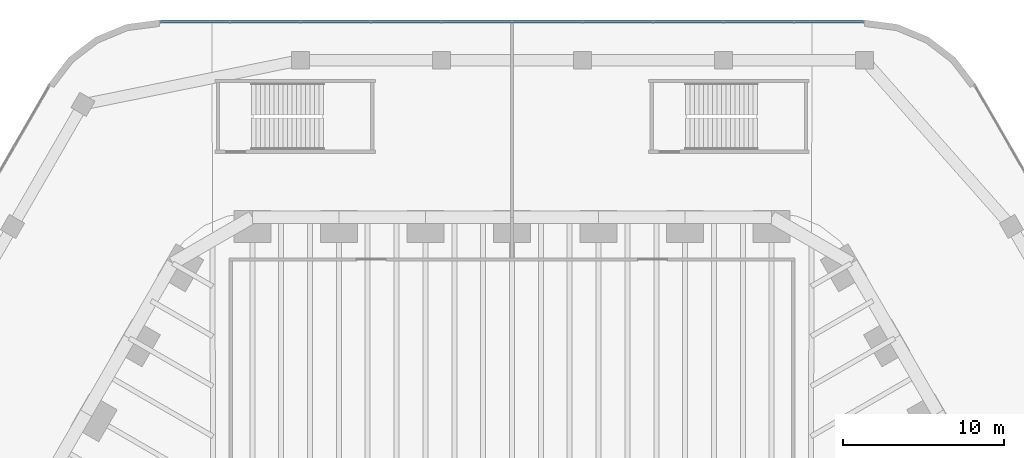
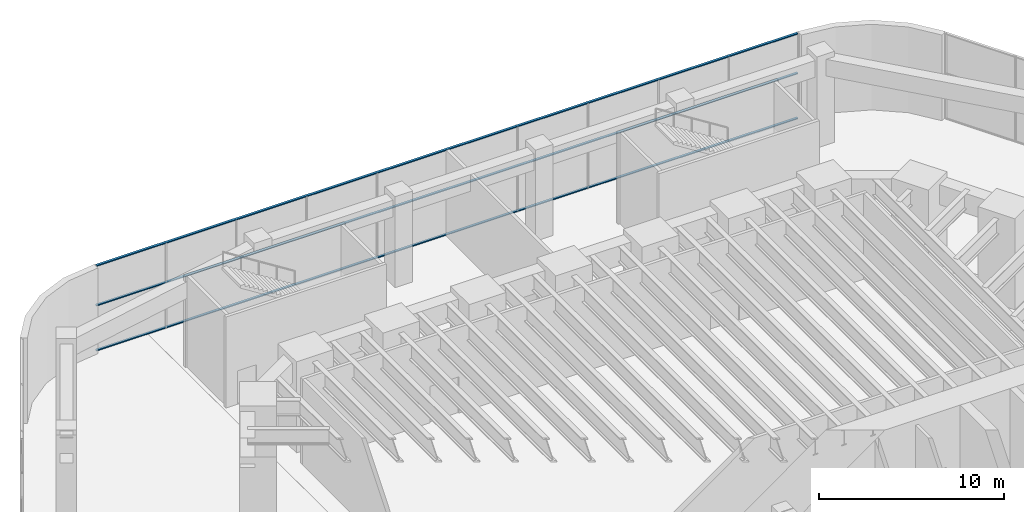
# One storey, part 19 of 31: 3 members, 1 element without a shape of its own.
"""IFC4 building model written with IfcOpenShell, lengths in metres."""

from ifc_helpers import new_model, si_unit, direction, frame, origin, origin_2d, place, context, subcontext, project, spatial, rectangle, extrude, material, material_profile, profile_set, type_object, element, aggregate, save


model = new_model("IFC4")

# Units and contexts
model_context = context("Model", 3, precision=1e-05, world=origin(), true_north=direction((0.0, 1.0)))
body_context = subcontext(model_context, "Body", "Model", "MODEL_VIEW")
ifc_project = project(units=[si_unit("LENGTHUNIT", "METRE"), si_unit("AREAUNIT", "SQUARE_METRE"), si_unit("VOLUMEUNIT", "CUBIC_METRE"), si_unit("PLANEANGLEUNIT", "RADIAN"), si_unit("MASSUNIT", "GRAM", prefix="KILO")], contexts=[model_context])

# Site, building, storey
site_placement = place(None, origin())
site = spatial("IfcSite", under=ifc_project, at=site_placement, CompositionType="ELEMENT")
building_placement = place(site_placement, origin())
building = spatial("IfcBuilding", under=site, at=building_placement, Name="Tarfa Lantern Tower", CompositionType="ELEMENT")
storey_placement = place(building_placement, frame((0.0, 0.0, 7.0)))
storey = spatial("IfcBuildingStorey", under=building, at=storey_placement, Name="L01", CompositionType="ELEMENT", Elevation=7.0)

# Curtain wall, members
ifc_material_1 = material(Name="Aluminium framed curtain wall", Category="aluminium")
curtain_wall_type = type_object("IfcCurtainWallType", Name="CW7 PODIUM GLAZING 5650", PredefinedType="USERDEFINED", material=ifc_material_1)
curtain_wall_placement = place(storey_placement, origin())
curtain_wall = element("IfcCurtainWall", 1, at=curtain_wall_placement, inside=storey, type_object=curtain_wall_type, Name="CW7 N L01", ObjectType="CURTAIN WALL", PredefinedType="USERDEFINED")
ifc_material_2 = material(Name="Aluminium transom", Category="aluminium")
ifc_material_profile = material_profile(ifc_material_2, rectangle(XDim=0.14990234375, YDim=0.06494140625, at=origin_2d()), Name="AL TRANSOM 150x65")
ifc_profile_set = profile_set([ifc_material_profile], Name="Aluminium transom")
member_type = type_object("IfcMemberType", Name="CWT1 TRANSOM 150x65", PredefinedType="USERDEFINED", material=ifc_profile_set)
member_1_placement = place(storey_placement, frame((21.874267578125, 45.89990234375, 0.032470703125), z_axis=(-1.0, 0.0, 0.0), x_axis=(0.0, -1.0, 0.0)))
member_1 = element("IfcMember", 2, at=member_1_placement, type_object=member_type, Name="CW7 transom 1.1", ObjectType="TRANSOM", PredefinedType="USERDEFINED", context=body_context, shape_type="SweptSolid", body=[
    extrude(rectangle(XDim=0.14990234375, YDim=0.06494140625, at=origin_2d()), origin(), (0.0, 0.0, 1.0), 43.74853515625),
])
member_2_placement = place(storey_placement, frame((21.874267578125, 45.89990234375, 3.0), z_axis=(-1.0, 0.0, 0.0), x_axis=(0.0, -1.0, 0.0)))
member_2 = element("IfcMember", 3, at=member_2_placement, type_object=member_type, Name="CW7 transom 1.2", ObjectType="TRANSOM", PredefinedType="USERDEFINED", context=body_context, shape_type="SweptSolid", body=[
    extrude(rectangle(XDim=0.14990234375, YDim=0.06494140625, at=origin_2d()), origin(), (0.0, 0.0, 1.0), 43.74853515625),
])
member_3_placement = place(storey_placement, frame((21.874267578125, 45.89990234375, 5.617431640625), z_axis=(-1.0, 0.0, 0.0), x_axis=(0.0, -1.0, 0.0)))
member_3 = element("IfcMember", 4, at=member_3_placement, type_object=member_type, Name="CW7 transom 1.3", ObjectType="TRANSOM", PredefinedType="USERDEFINED", context=body_context, shape_type="SweptSolid", body=[
    extrude(rectangle(XDim=0.14990234375, YDim=0.06494140625, at=origin_2d()), origin(), (0.0, 0.0, 1.0), 43.74853515625),
])
aggregate(curtain_wall, [member_1, member_2, member_3])

save(model, "model.ifc")
